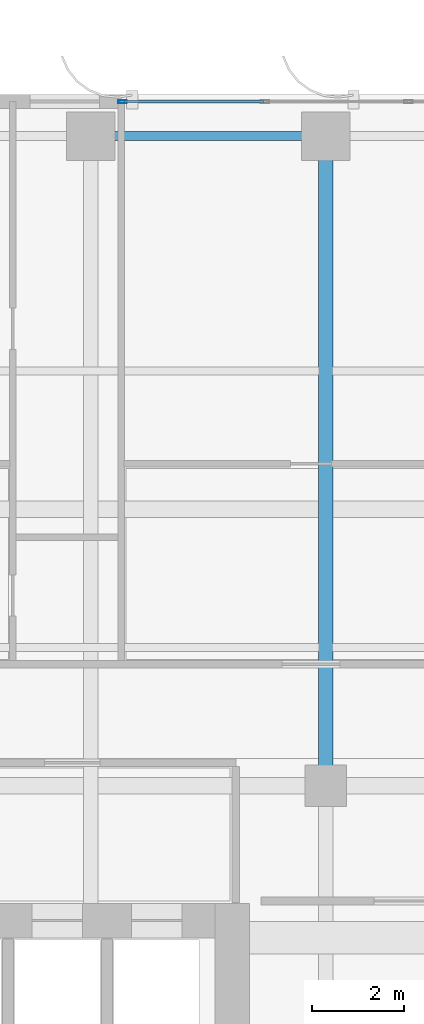
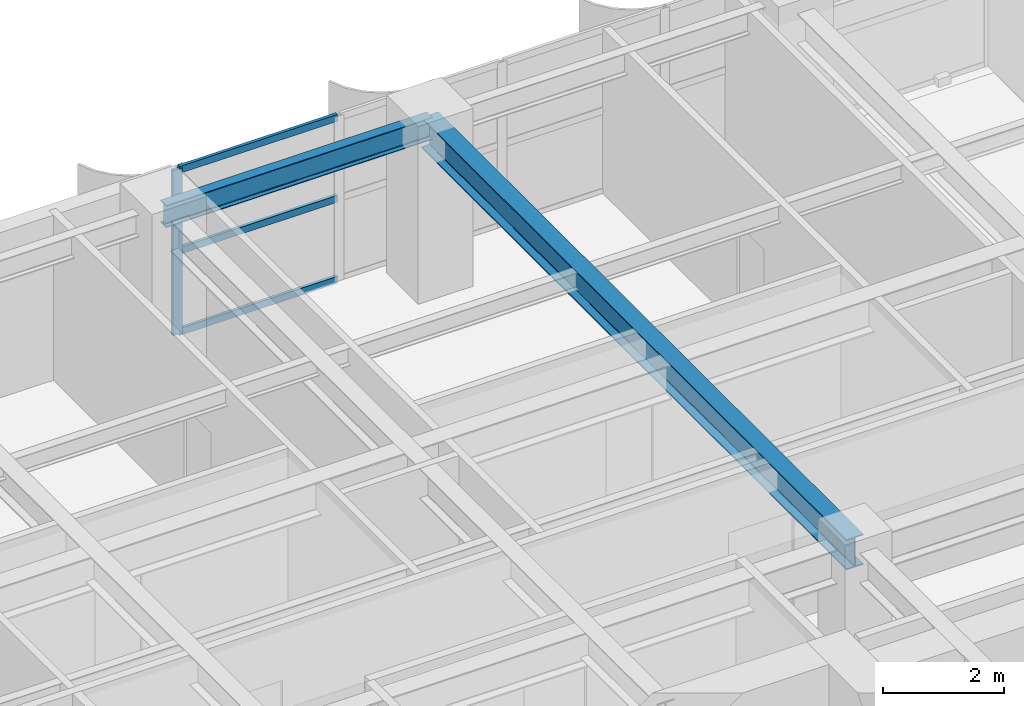
# One storey, part 9 of 22: 4 members, 2 beams, 1 element without a shape of its own.
"""IFC4 building model written with IfcOpenShell, lengths in metres."""

from ifc_helpers import new_model, si_unit, direction, frame, origin, origin_2d, place, context, subcontext, project, spatial, hollow_rectangle, i_section, extrude, source, transform, mapped, material, layer, layer_set, material_profile, profile_set, type_object, element, aggregate, save


model = new_model("IFC4")

# Units and contexts
model_context = context("Model", 3, precision=1e-05, world=origin(), true_north=direction((0.0, 1.0)))
body_context = subcontext(model_context, "Body", "Model", "MODEL_VIEW")
ifc_project = project(units=[si_unit("LENGTHUNIT", "METRE"), si_unit("AREAUNIT", "SQUARE_METRE"), si_unit("VOLUMEUNIT", "CUBIC_METRE"), si_unit("PLANEANGLEUNIT", "RADIAN"), si_unit("MASSUNIT", "GRAM", prefix="KILO")], contexts=[model_context])

# Site, building, storey
site_placement = place(None, origin())
site = spatial("IfcSite", under=ifc_project, at=site_placement, CompositionType="ELEMENT")
building_placement = place(site_placement, origin())
building = spatial("IfcBuilding", under=site, at=building_placement, Name="Khoralis Quay Care Tower", CompositionType="ELEMENT")
storey_placement = place(building_placement, frame((0.0, 0.0, 98.10009765625)))
storey = spatial("IfcBuildingStorey", under=building, at=storey_placement, Name="L25", CompositionType="ELEMENT", Elevation=98.10009765625)

# Beams
ifc_material_1 = material(Name="Steel S355", Category="steel")
ifc_material_profile_1 = material_profile(ifc_material_1, i_section(OverallWidth=0.18994140625, OverallDepth=0.449951171875, WebThickness=0.009521484375, FlangeThickness=0.0146484375, FilletRadius=0.02099609375, at=origin_2d()), Name="Steel S355")
ifc_profile_set_1 = profile_set([ifc_material_profile_1], Name="Steel S355")
beam_type_1 = type_object("IfcBeamType", Name="BM-IPE450", PredefinedType="SPANDREL", material=ifc_profile_set_1)
shared_shape_1 = source(origin(), body_context, "Body", "SweptSolid", [
    extrude(i_section(OverallWidth=0.18994140625, OverallDepth=0.449951171875, WebThickness=0.009521484375, FlangeThickness=0.0146484375, FilletRadius=0.02099609375, at=origin_2d()), origin(), (0.0, 0.0, 1.0), 5.10009765625),
])
beam_1_placement = place(storey_placement, frame((12.0, 44.10009765625, 3.114990234375), z_axis=(1.0, 0.0, 0.0), x_axis=(0.0, 1.0, 0.0)))
element("IfcBeam", 1, at=beam_1_placement, inside=storey, type_object=beam_type_1, Name="BM-TSP-L25-07", PredefinedType="SPANDREL", context=body_context, shape_type="MappedRepresentation", body=[
    mapped(shared_shape_1, transform((0.0, 0.0, 0.0), scale=1.0)),
])
ifc_material_profile_2 = material_profile(ifc_material_1, i_section(OverallWidth=0.324951171875, OverallDepth=0.615966796875, WebThickness=0.013916015625, FlangeThickness=0.021484375, FilletRadius=0.01806640625, at=origin_2d()), Name="Steel S355")
ifc_profile_set_2 = profile_set([ifc_material_profile_2], Name="Steel S355")
beam_type_2 = type_object("IfcBeamType", Name="BM-W610X174", PredefinedType="BEAM", material=ifc_profile_set_2)
shared_shape_2 = source(origin(), body_context, "Body", "SweptSolid", [
    extrude(i_section(OverallWidth=0.324951171875, OverallDepth=0.615966796875, WebThickness=0.013916015625, FlangeThickness=0.021484375, FilletRadius=0.01806640625, at=origin_2d()), origin(), (0.0, 0.0, 1.0), 14.10009765625),
])
beam_2_placement = place(storey_placement, frame((17.10009765625, 30.0, 3.031982421875), z_axis=(0.0, 1.0, 0.0), x_axis=(-1.0, 0.0, 0.0)))
element("IfcBeam", 2, at=beam_2_placement, inside=storey, type_object=beam_type_2, Name="BM-TGYN-L25-171", PredefinedType="BEAM", context=body_context, shape_type="MappedRepresentation", body=[
    mapped(shared_shape_2, transform((0.0, 0.0, 0.0), scale=1.0)),
])

# Curtain wall, members
ifc_material_2 = material(Name="Pale anodised aluminium", Category="aluminium")
ifc_layer = layer(ifc_material_2, 0.169921875)
ifc_layer_set = layer_set([ifc_layer], Name="Pale anodised aluminium")
curtain_wall_type = type_object("IfcCurtainWallType", Name="CW-SYS-Z2", PredefinedType="NOTDEFINED", material=ifc_layer_set)
curtain_wall_placement = place(storey_placement, origin())
curtain_wall = element("IfcCurtainWall", 3, at=curtain_wall_placement, inside=storey, type_object=curtain_wall_type, Name="L25 Unitised Curtain Wall CW-L25-P1-E10", PredefinedType="NOTDEFINED")
ifc_material_profile_3 = material_profile(ifc_material_2, hollow_rectangle(XDim=0.06494140625, YDim=0.179931640625, WallThickness=0.00390625, at=origin_2d()), Name="Pale anodised aluminium")
ifc_profile_set_3 = profile_set([ifc_material_profile_3], Name="Pale anodised aluminium")
member_type_1 = type_object("IfcMemberType", Name="CW-MUL-180", PredefinedType="MULLION", material=ifc_profile_set_3)
shared_shape_3 = source(origin(), body_context, "Body", "SweptSolid", [
    extrude(hollow_rectangle(XDim=0.06494140625, YDim=0.179931640625, WallThickness=0.00390625, at=origin_2d()), origin(), (0.0, 0.0, 1.0), 3.33984375),
])
member_1_placement = place(storey_placement, frame((12.68994140625, 44.85009765625, 0.0), z_axis=(0.0, 0.0, 1.0), x_axis=(0.0, -1.0, 0.0)))
member_1 = element("IfcMember", 4, at=member_1_placement, type_object=member_type_1, Name="CW2 mullion 6", PredefinedType="MULLION", context=body_context, shape_type="MappedRepresentation", body=[
    mapped(shared_shape_3, transform((0.0, 0.0, 0.0), scale=1.0)),
])
ifc_material_profile_4 = material_profile(ifc_material_2, hollow_rectangle(XDim=0.06005859375, YDim=0.139892578125, WallThickness=0.00390625, at=origin_2d()), Name="Pale anodised aluminium")
ifc_profile_set_4 = profile_set([ifc_material_profile_4], Name="Pale anodised aluminium")
member_type_2 = type_object("IfcMemberType", Name="CW-TRN-140", PredefinedType="USERDEFINED", material=ifc_profile_set_4)
shared_shape_4 = source(origin(), body_context, "Body", "SweptSolid", [
    extrude(hollow_rectangle(XDim=0.06005859375, YDim=0.139892578125, WallThickness=0.00390625, at=origin_2d()), origin(), (0.0, 0.0, 1.0), 3.029541015625),
])
member_2_placement = place(storey_placement, frame((15.74951171875, 44.85009765625, 0.02978515625), z_axis=(-1.0, 0.0, 0.0), x_axis=(0.0, -1.0, 0.0)))
member_2 = element("IfcMember", 5, at=member_2_placement, type_object=member_type_2, Name="CW2 transom 5.1", ObjectType="TRANSOM", PredefinedType="USERDEFINED", context=body_context, shape_type="MappedRepresentation", body=[
    mapped(shared_shape_4, transform((0.0, 0.0, 0.0), scale=1.0)),
])
member_3_placement = place(storey_placement, frame((15.74951171875, 44.85009765625, 1.669921875), z_axis=(-1.0, 0.0, 0.0), x_axis=(0.0, -1.0, 0.0)))
member_3 = element("IfcMember", 6, at=member_3_placement, type_object=member_type_2, Name="CW2 transom 5.2", ObjectType="TRANSOM", PredefinedType="USERDEFINED", context=body_context, shape_type="MappedRepresentation", body=[
    mapped(shared_shape_4, transform((0.0, 0.0, 0.0), scale=1.0)),
])
member_4_placement = place(storey_placement, frame((15.74951171875, 44.85009765625, 3.309814453125), z_axis=(-1.0, 0.0, 0.0), x_axis=(0.0, -1.0, 0.0)))
member_4 = element("IfcMember", 7, at=member_4_placement, type_object=member_type_2, Name="CW2 transom 5.3", ObjectType="TRANSOM", PredefinedType="USERDEFINED", context=body_context, shape_type="MappedRepresentation", body=[
    mapped(shared_shape_4, transform((0.0, 0.0, 0.0), scale=1.0)),
])
aggregate(curtain_wall, [member_1, member_2, member_3, member_4])

save(model, "model.ifc")
